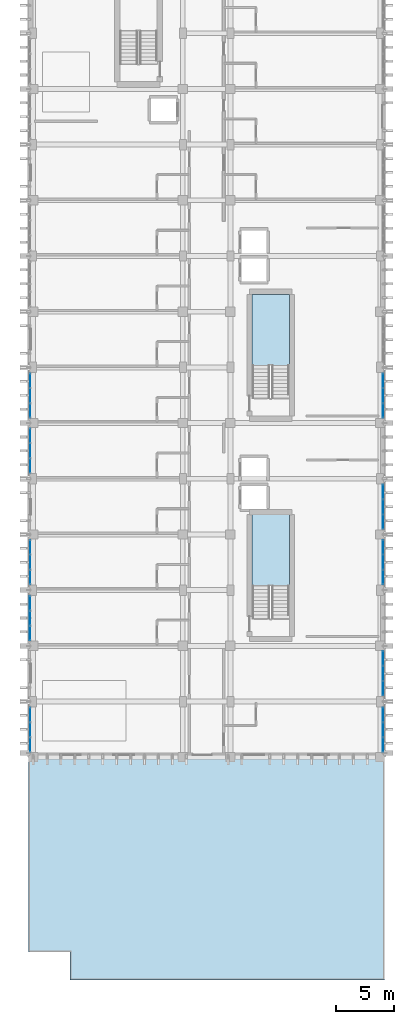
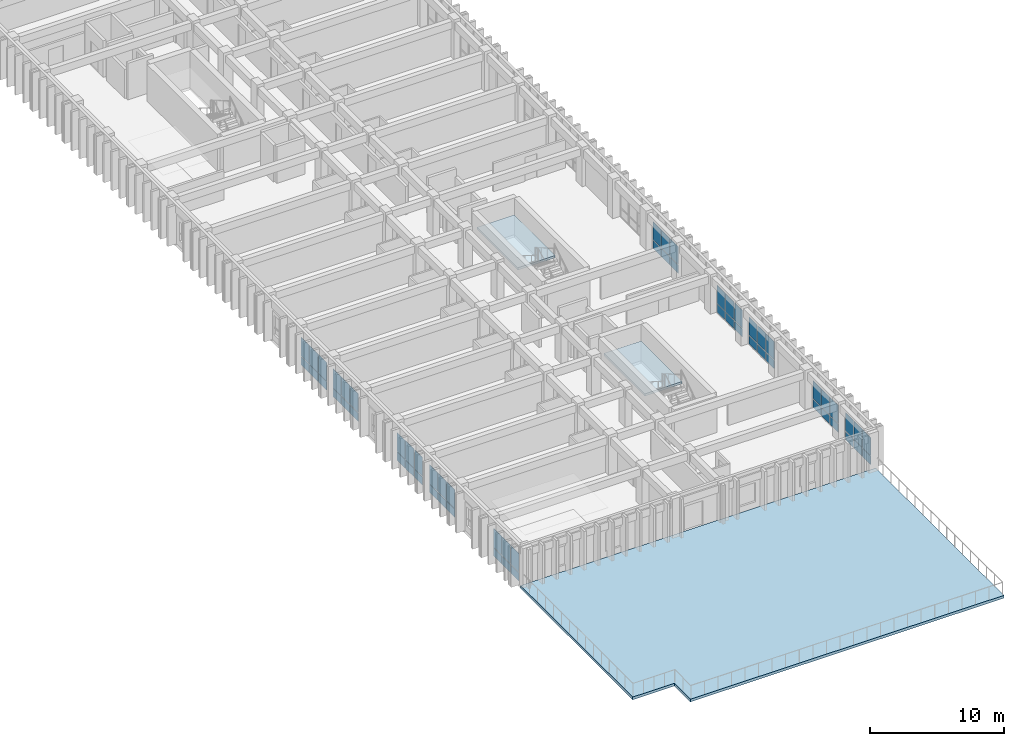
# One storey, part 58 of 82: 60 plates, 3 slabs, 12 elements without a shape of their own.
"""IFC4 building model written with IfcOpenShell, lengths in metres."""

from ifc_helpers import new_model, si_unit, direction, frame, origin, origin_2d, place, context, subcontext, project, spatial, polyline, rectangle, outline, extrude, material, layer, layer_set, type_object, element, aggregate, save


model = new_model("IFC4")

# Units and contexts
model_context = context("Model", 3, precision=1e-05, world=origin(), true_north=direction((0.0, 1.0)))
body_context = subcontext(model_context, "Body", "Model", "MODEL_VIEW")
ifc_project = project(units=[si_unit("LENGTHUNIT", "METRE"), si_unit("AREAUNIT", "SQUARE_METRE"), si_unit("VOLUMEUNIT", "CUBIC_METRE"), si_unit("PLANEANGLEUNIT", "RADIAN"), si_unit("MASSUNIT", "GRAM", prefix="KILO")], contexts=[model_context])

# Site, building, storey
site_placement = place(None, origin())
site = spatial("IfcSite", under=ifc_project, at=site_placement, CompositionType="ELEMENT")
building_placement = place(site_placement, origin())
building = spatial("IfcBuilding", under=site, at=building_placement, Name="Nakhvara Creek Congress Hotel", CompositionType="ELEMENT")
storey_placement = place(building_placement, frame((0.0, 0.0, 21.0)))
storey = spatial("IfcBuildingStorey", under=building, at=storey_placement, Name="L04", CompositionType="ELEMENT", Elevation=21.0)

# Curtain wall, plates
ifc_material_1 = material(Name="Bronze-anodised aluminium AW-6063-T6 and double-silver low-E glass", Category="aluminium")
ifc_layer_1 = layer(ifc_material_1, 0.199951171875)
ifc_layer_set_1 = layer_set([ifc_layer_1], Name="Bronze-anodised aluminium AW-6063-T6 and double-silver low-E glass")
curtain_wall_type = type_object("IfcCurtainWallType", Name="CW-HTL-UNIT", PredefinedType="USERDEFINED", material=ifc_layer_set_1)
curtain_wall_1_placement = place(storey_placement, origin())
curtain_wall_1 = element("IfcCurtainWall", 1, at=curtain_wall_1_placement, inside=storey, type_object=curtain_wall_type, Name="Curtain Wall CW172", ObjectType="UNITISED", PredefinedType="USERDEFINED")
ifc_material_2 = material(Name="Double-silver solar-control low-E insulated glass", Category="glass")
plate_type_1 = type_object("IfcPlateType", Name="PNL-GLZ-120X250", PredefinedType="CURTAIN_PANEL", material=ifc_material_2)
plate_1_placement = place(storey_placement, frame((179.60009765625, 22.865478515625, 0.06494140625), z_axis=(0.0, 0.0, 1.0), x_axis=(0.0, -1.0, 0.0)))
plate_1 = element("IfcPlate", 2, at=plate_1_placement, type_object=plate_type_1, Name="CW172 panel 1.1", PredefinedType="CURTAIN_PANEL", context=body_context, shape_type="SweptSolid", body=[
    extrude(rectangle(XDim=1.209228515625, YDim=0.028076171875, at=origin_2d()), origin(), (0.0, 0.0, 1.0), 0.75244140625),
])
plate_2_placement = place(storey_placement, frame((179.60009765625, 22.865478515625, 0.88232421875), z_axis=(0.0, 0.0, 1.0), x_axis=(0.0, -1.0, 0.0)))
plate_2 = element("IfcPlate", 3, at=plate_2_placement, type_object=plate_type_1, Name="CW172 panel 1.2", PredefinedType="CURTAIN_PANEL", context=body_context, shape_type="SweptSolid", body=[
    extrude(rectangle(XDim=1.209228515625, YDim=0.028076171875, at=origin_2d()), origin(), (0.0, 0.0, 1.0), 1.634521484375),
])
plate_3_placement = place(storey_placement, frame((179.60009765625, 21.574951171875, 0.06494140625), z_axis=(0.0, 0.0, 1.0), x_axis=(0.0, -1.0, 0.0)))
plate_3 = element("IfcPlate", 4, at=plate_3_placement, type_object=plate_type_1, Name="CW172 panel 2.1", PredefinedType="CURTAIN_PANEL", context=body_context, shape_type="SweptSolid", body=[
    extrude(rectangle(XDim=1.24169921875, YDim=0.028076171875, at=origin_2d()), origin(), (0.0, 0.0, 1.0), 0.75244140625),
])
plate_4_placement = place(storey_placement, frame((179.60009765625, 21.574951171875, 0.88232421875), z_axis=(0.0, 0.0, 1.0), x_axis=(0.0, -1.0, 0.0)))
plate_4 = element("IfcPlate", 5, at=plate_4_placement, type_object=plate_type_1, Name="CW172 panel 2.2", PredefinedType="CURTAIN_PANEL", context=body_context, shape_type="SweptSolid", body=[
    extrude(rectangle(XDim=1.24169921875, YDim=0.028076171875, at=origin_2d()), origin(), (0.0, 0.0, 1.0), 1.634521484375),
])
plate_5_placement = place(storey_placement, frame((179.60009765625, 20.28466796875, 0.06494140625), z_axis=(0.0, 0.0, 1.0), x_axis=(0.0, -1.0, 0.0)))
plate_5 = element("IfcPlate", 6, at=plate_5_placement, type_object=plate_type_1, Name="CW172 panel 3.1", PredefinedType="CURTAIN_PANEL", context=body_context, shape_type="SweptSolid", body=[
    extrude(rectangle(XDim=1.209228515625, YDim=0.028076171875, at=origin_2d()), origin(), (0.0, 0.0, 1.0), 0.75244140625),
])
plate_6_placement = place(storey_placement, frame((179.60009765625, 20.28466796875, 0.88232421875), z_axis=(0.0, 0.0, 1.0), x_axis=(0.0, -1.0, 0.0)))
plate_6 = element("IfcPlate", 7, at=plate_6_placement, type_object=plate_type_1, Name="CW172 panel 3.2", PredefinedType="CURTAIN_PANEL", context=body_context, shape_type="SweptSolid", body=[
    extrude(rectangle(XDim=1.209228515625, YDim=0.028076171875, at=origin_2d()), origin(), (0.0, 0.0, 1.0), 1.634521484375),
])
aggregate(curtain_wall_1, [plate_1, plate_2, plate_3, plate_4, plate_5, plate_6])

curtain_wall_2_placement = place(storey_placement, origin())
curtain_wall_2 = element("IfcCurtainWall", 8, at=curtain_wall_2_placement, inside=storey, type_object=curtain_wall_type, Name="Curtain Wall CW173", ObjectType="UNITISED", PredefinedType="USERDEFINED")
plate_7_placement = place(storey_placement, frame((149.199951171875, 20.28466796875, 0.06494140625), z_axis=(0.0, 0.0, 1.0), x_axis=(0.0, 1.0, 0.0)))
plate_7 = element("IfcPlate", 9, at=plate_7_placement, type_object=plate_type_1, Name="CW173 panel 1.1", PredefinedType="CURTAIN_PANEL", context=body_context, shape_type="SweptSolid", body=[
    extrude(rectangle(XDim=1.209228515625, YDim=0.028076171875, at=origin_2d()), origin(), (0.0, 0.0, 1.0), 0.75244140625),
])
plate_8_placement = place(storey_placement, frame((149.199951171875, 20.28466796875, 0.882568359375), z_axis=(0.0, 0.0, 1.0), x_axis=(0.0, 1.0, 0.0)))
plate_8 = element("IfcPlate", 10, at=plate_8_placement, type_object=plate_type_1, Name="CW173 panel 1.2", PredefinedType="CURTAIN_PANEL", context=body_context, shape_type="SweptSolid", body=[
    extrude(rectangle(XDim=1.209228515625, YDim=0.028076171875, at=origin_2d()), origin(), (0.0, 0.0, 1.0), 1.70458984375),
])
plate_9_placement = place(storey_placement, frame((149.199951171875, 21.574951171875, 0.06494140625), z_axis=(0.0, 0.0, 1.0), x_axis=(0.0, 1.0, 0.0)))
plate_9 = element("IfcPlate", 11, at=plate_9_placement, type_object=plate_type_1, Name="CW173 panel 2.1", PredefinedType="CURTAIN_PANEL", context=body_context, shape_type="SweptSolid", body=[
    extrude(rectangle(XDim=1.24169921875, YDim=0.028076171875, at=origin_2d()), origin(), (0.0, 0.0, 1.0), 0.75244140625),
])
plate_10_placement = place(storey_placement, frame((149.199951171875, 21.574951171875, 0.882568359375), z_axis=(0.0, 0.0, 1.0), x_axis=(0.0, 1.0, 0.0)))
plate_10 = element("IfcPlate", 12, at=plate_10_placement, type_object=plate_type_1, Name="CW173 panel 2.2", PredefinedType="CURTAIN_PANEL", context=body_context, shape_type="SweptSolid", body=[
    extrude(rectangle(XDim=1.24169921875, YDim=0.028076171875, at=origin_2d()), origin(), (0.0, 0.0, 1.0), 1.70458984375),
])
plate_11_placement = place(storey_placement, frame((149.199951171875, 22.865478515625, 0.06494140625), z_axis=(0.0, 0.0, 1.0), x_axis=(0.0, 1.0, 0.0)))
plate_11 = element("IfcPlate", 13, at=plate_11_placement, type_object=plate_type_1, Name="CW173 panel 3.1", PredefinedType="CURTAIN_PANEL", context=body_context, shape_type="SweptSolid", body=[
    extrude(rectangle(XDim=1.209228515625, YDim=0.028076171875, at=origin_2d()), origin(), (0.0, 0.0, 1.0), 0.75244140625),
])
plate_12_placement = place(storey_placement, frame((149.199951171875, 22.865478515625, 0.882568359375), z_axis=(0.0, 0.0, 1.0), x_axis=(0.0, 1.0, 0.0)))
plate_12 = element("IfcPlate", 14, at=plate_12_placement, type_object=plate_type_1, Name="CW173 panel 3.2", PredefinedType="CURTAIN_PANEL", context=body_context, shape_type="SweptSolid", body=[
    extrude(rectangle(XDim=1.209228515625, YDim=0.028076171875, at=origin_2d()), origin(), (0.0, 0.0, 1.0), 1.70458984375),
])
aggregate(curtain_wall_2, [plate_7, plate_8, plate_9, plate_10, plate_11, plate_12])

curtain_wall_3_placement = place(storey_placement, origin())
curtain_wall_3 = element("IfcCurtainWall", 15, at=curtain_wall_3_placement, inside=storey, type_object=curtain_wall_type, Name="Curtain Wall CW174", ObjectType="UNITISED", PredefinedType="USERDEFINED")
plate_13_placement = place(storey_placement, frame((179.60009765625, 27.71533203125, 0.06494140625), z_axis=(0.0, 0.0, 1.0), x_axis=(0.0, -1.0, 0.0)))
plate_13 = element("IfcPlate", 16, at=plate_13_placement, type_object=plate_type_1, Name="CW174 panel 1.1", PredefinedType="CURTAIN_PANEL", context=body_context, shape_type="SweptSolid", body=[
    extrude(rectangle(XDim=1.209228515625, YDim=0.028076171875, at=origin_2d()), origin(), (0.0, 0.0, 1.0), 0.75244140625),
])
plate_14_placement = place(storey_placement, frame((179.60009765625, 27.71533203125, 0.88232421875), z_axis=(0.0, 0.0, 1.0), x_axis=(0.0, -1.0, 0.0)))
plate_14 = element("IfcPlate", 17, at=plate_14_placement, type_object=plate_type_1, Name="CW174 panel 1.2", PredefinedType="CURTAIN_PANEL", context=body_context, shape_type="SweptSolid", body=[
    extrude(rectangle(XDim=1.209228515625, YDim=0.028076171875, at=origin_2d()), origin(), (0.0, 0.0, 1.0), 1.634521484375),
])
plate_15_placement = place(storey_placement, frame((179.60009765625, 26.425048828125, 0.06494140625), z_axis=(0.0, 0.0, 1.0), x_axis=(0.0, -1.0, 0.0)))
plate_15 = element("IfcPlate", 18, at=plate_15_placement, type_object=plate_type_1, Name="CW174 panel 2.1", PredefinedType="CURTAIN_PANEL", context=body_context, shape_type="SweptSolid", body=[
    extrude(rectangle(XDim=1.24169921875, YDim=0.028076171875, at=origin_2d()), origin(), (0.0, 0.0, 1.0), 0.75244140625),
])
plate_16_placement = place(storey_placement, frame((179.60009765625, 26.425048828125, 0.88232421875), z_axis=(0.0, 0.0, 1.0), x_axis=(0.0, -1.0, 0.0)))
plate_16 = element("IfcPlate", 19, at=plate_16_placement, type_object=plate_type_1, Name="CW174 panel 2.2", PredefinedType="CURTAIN_PANEL", context=body_context, shape_type="SweptSolid", body=[
    extrude(rectangle(XDim=1.24169921875, YDim=0.028076171875, at=origin_2d()), origin(), (0.0, 0.0, 1.0), 1.634521484375),
])
plate_17_placement = place(storey_placement, frame((179.60009765625, 25.134521484375, 0.06494140625), z_axis=(0.0, 0.0, 1.0), x_axis=(0.0, -1.0, 0.0)))
plate_17 = element("IfcPlate", 20, at=plate_17_placement, type_object=plate_type_1, Name="CW174 panel 3.1", PredefinedType="CURTAIN_PANEL", context=body_context, shape_type="SweptSolid", body=[
    extrude(rectangle(XDim=1.209228515625, YDim=0.028076171875, at=origin_2d()), origin(), (0.0, 0.0, 1.0), 0.75244140625),
])
plate_18_placement = place(storey_placement, frame((179.60009765625, 25.134521484375, 0.88232421875), z_axis=(0.0, 0.0, 1.0), x_axis=(0.0, -1.0, 0.0)))
plate_18 = element("IfcPlate", 21, at=plate_18_placement, type_object=plate_type_1, Name="CW174 panel 3.2", PredefinedType="CURTAIN_PANEL", context=body_context, shape_type="SweptSolid", body=[
    extrude(rectangle(XDim=1.209228515625, YDim=0.028076171875, at=origin_2d()), origin(), (0.0, 0.0, 1.0), 1.634521484375),
])
aggregate(curtain_wall_3, [plate_13, plate_14, plate_15, plate_16, plate_17, plate_18])

curtain_wall_4_placement = place(storey_placement, origin())
curtain_wall_4 = element("IfcCurtainWall", 22, at=curtain_wall_4_placement, inside=storey, type_object=curtain_wall_type, Name="Curtain Wall CW176", ObjectType="UNITISED", PredefinedType="USERDEFINED")
plate_19_placement = place(storey_placement, frame((179.60009765625, 37.3154296875, 0.06494140625), z_axis=(0.0, 0.0, 1.0), x_axis=(0.0, -1.0, 0.0)))
plate_19 = element("IfcPlate", 23, at=plate_19_placement, type_object=plate_type_1, Name="CW176 panel 1.1", PredefinedType="CURTAIN_PANEL", context=body_context, shape_type="SweptSolid", body=[
    extrude(rectangle(XDim=1.209228515625, YDim=0.028076171875, at=origin_2d()), origin(), (0.0, 0.0, 1.0), 0.75244140625),
])
plate_20_placement = place(storey_placement, frame((179.60009765625, 37.3154296875, 0.88232421875), z_axis=(0.0, 0.0, 1.0), x_axis=(0.0, -1.0, 0.0)))
plate_20 = element("IfcPlate", 24, at=plate_20_placement, type_object=plate_type_1, Name="CW176 panel 1.2", PredefinedType="CURTAIN_PANEL", context=body_context, shape_type="SweptSolid", body=[
    extrude(rectangle(XDim=1.209228515625, YDim=0.028076171875, at=origin_2d()), origin(), (0.0, 0.0, 1.0), 1.634521484375),
])
plate_21_placement = place(storey_placement, frame((179.60009765625, 36.02490234375, 0.06494140625), z_axis=(0.0, 0.0, 1.0), x_axis=(0.0, -1.0, 0.0)))
plate_21 = element("IfcPlate", 25, at=plate_21_placement, type_object=plate_type_1, Name="CW176 panel 2.1", PredefinedType="CURTAIN_PANEL", context=body_context, shape_type="SweptSolid", body=[
    extrude(rectangle(XDim=1.24169921875, YDim=0.028076171875, at=origin_2d()), origin(), (0.0, 0.0, 1.0), 0.75244140625),
])
plate_22_placement = place(storey_placement, frame((179.60009765625, 36.02490234375, 0.88232421875), z_axis=(0.0, 0.0, 1.0), x_axis=(0.0, -1.0, 0.0)))
plate_22 = element("IfcPlate", 26, at=plate_22_placement, type_object=plate_type_1, Name="CW176 panel 2.2", PredefinedType="CURTAIN_PANEL", context=body_context, shape_type="SweptSolid", body=[
    extrude(rectangle(XDim=1.24169921875, YDim=0.028076171875, at=origin_2d()), origin(), (0.0, 0.0, 1.0), 1.634521484375),
])
plate_23_placement = place(storey_placement, frame((179.60009765625, 34.734619140625, 0.06494140625), z_axis=(0.0, 0.0, 1.0), x_axis=(0.0, -1.0, 0.0)))
plate_23 = element("IfcPlate", 27, at=plate_23_placement, type_object=plate_type_1, Name="CW176 panel 3.1", PredefinedType="CURTAIN_PANEL", context=body_context, shape_type="SweptSolid", body=[
    extrude(rectangle(XDim=1.209228515625, YDim=0.028076171875, at=origin_2d()), origin(), (0.0, 0.0, 1.0), 0.75244140625),
])
plate_24_placement = place(storey_placement, frame((179.60009765625, 34.734619140625, 0.88232421875), z_axis=(0.0, 0.0, 1.0), x_axis=(0.0, -1.0, 0.0)))
plate_24 = element("IfcPlate", 28, at=plate_24_placement, type_object=plate_type_1, Name="CW176 panel 3.2", PredefinedType="CURTAIN_PANEL", context=body_context, shape_type="SweptSolid", body=[
    extrude(rectangle(XDim=1.209228515625, YDim=0.028076171875, at=origin_2d()), origin(), (0.0, 0.0, 1.0), 1.634521484375),
])
aggregate(curtain_wall_4, [plate_19, plate_20, plate_21, plate_22, plate_23, plate_24])

curtain_wall_5_placement = place(storey_placement, origin())
curtain_wall_5 = element("IfcCurtainWall", 29, at=curtain_wall_5_placement, inside=storey, type_object=curtain_wall_type, Name="Curtain Wall CW177", ObjectType="UNITISED", PredefinedType="USERDEFINED")
plate_25_placement = place(storey_placement, frame((149.199951171875, 34.734619140625, 0.06494140625), z_axis=(0.0, 0.0, 1.0), x_axis=(0.0, 1.0, 0.0)))
plate_25 = element("IfcPlate", 30, at=plate_25_placement, type_object=plate_type_1, Name="CW177 panel 1.1", PredefinedType="CURTAIN_PANEL", context=body_context, shape_type="SweptSolid", body=[
    extrude(rectangle(XDim=1.209228515625, YDim=0.028076171875, at=origin_2d()), origin(), (0.0, 0.0, 1.0), 0.75244140625),
])
plate_26_placement = place(storey_placement, frame((149.199951171875, 34.734619140625, 0.882568359375), z_axis=(0.0, 0.0, 1.0), x_axis=(0.0, 1.0, 0.0)))
plate_26 = element("IfcPlate", 31, at=plate_26_placement, type_object=plate_type_1, Name="CW177 panel 1.2", PredefinedType="CURTAIN_PANEL", context=body_context, shape_type="SweptSolid", body=[
    extrude(rectangle(XDim=1.209228515625, YDim=0.028076171875, at=origin_2d()), origin(), (0.0, 0.0, 1.0), 1.70458984375),
])
plate_27_placement = place(storey_placement, frame((149.199951171875, 36.02490234375, 0.06494140625), z_axis=(0.0, 0.0, 1.0), x_axis=(0.0, 1.0, 0.0)))
plate_27 = element("IfcPlate", 32, at=plate_27_placement, type_object=plate_type_1, Name="CW177 panel 2.1", PredefinedType="CURTAIN_PANEL", context=body_context, shape_type="SweptSolid", body=[
    extrude(rectangle(XDim=1.24169921875, YDim=0.028076171875, at=origin_2d()), origin(), (0.0, 0.0, 1.0), 0.75244140625),
])
plate_28_placement = place(storey_placement, frame((149.199951171875, 36.02490234375, 0.882568359375), z_axis=(0.0, 0.0, 1.0), x_axis=(0.0, 1.0, 0.0)))
plate_28 = element("IfcPlate", 33, at=plate_28_placement, type_object=plate_type_1, Name="CW177 panel 2.2", PredefinedType="CURTAIN_PANEL", context=body_context, shape_type="SweptSolid", body=[
    extrude(rectangle(XDim=1.24169921875, YDim=0.028076171875, at=origin_2d()), origin(), (0.0, 0.0, 1.0), 1.70458984375),
])
plate_29_placement = place(storey_placement, frame((149.199951171875, 37.3154296875, 0.06494140625), z_axis=(0.0, 0.0, 1.0), x_axis=(0.0, 1.0, 0.0)))
plate_29 = element("IfcPlate", 34, at=plate_29_placement, type_object=plate_type_1, Name="CW177 panel 3.1", PredefinedType="CURTAIN_PANEL", context=body_context, shape_type="SweptSolid", body=[
    extrude(rectangle(XDim=1.209228515625, YDim=0.028076171875, at=origin_2d()), origin(), (0.0, 0.0, 1.0), 0.75244140625),
])
plate_30_placement = place(storey_placement, frame((149.199951171875, 37.3154296875, 0.882568359375), z_axis=(0.0, 0.0, 1.0), x_axis=(0.0, 1.0, 0.0)))
plate_30 = element("IfcPlate", 35, at=plate_30_placement, type_object=plate_type_1, Name="CW177 panel 3.2", PredefinedType="CURTAIN_PANEL", context=body_context, shape_type="SweptSolid", body=[
    extrude(rectangle(XDim=1.209228515625, YDim=0.028076171875, at=origin_2d()), origin(), (0.0, 0.0, 1.0), 1.70458984375),
])
aggregate(curtain_wall_5, [plate_25, plate_26, plate_27, plate_28, plate_29, plate_30])

curtain_wall_6_placement = place(storey_placement, origin())
curtain_wall_6 = element("IfcCurtainWall", 36, at=curtain_wall_6_placement, inside=storey, type_object=curtain_wall_type, Name="Curtain Wall CW178", ObjectType="UNITISED", PredefinedType="USERDEFINED")
plate_31_placement = place(storey_placement, frame((179.60009765625, 42.0654296875, 0.06494140625), z_axis=(0.0, 0.0, 1.0), x_axis=(0.0, -1.0, 0.0)))
plate_31 = element("IfcPlate", 37, at=plate_31_placement, type_object=plate_type_1, Name="CW178 panel 1.1", PredefinedType="CURTAIN_PANEL", context=body_context, shape_type="SweptSolid", body=[
    extrude(rectangle(XDim=1.209228515625, YDim=0.028076171875, at=origin_2d()), origin(), (0.0, 0.0, 1.0), 0.75244140625),
])
plate_32_placement = place(storey_placement, frame((179.60009765625, 42.0654296875, 0.88232421875), z_axis=(0.0, 0.0, 1.0), x_axis=(0.0, -1.0, 0.0)))
plate_32 = element("IfcPlate", 38, at=plate_32_placement, type_object=plate_type_1, Name="CW178 panel 1.2", PredefinedType="CURTAIN_PANEL", context=body_context, shape_type="SweptSolid", body=[
    extrude(rectangle(XDim=1.209228515625, YDim=0.028076171875, at=origin_2d()), origin(), (0.0, 0.0, 1.0), 1.634521484375),
])
plate_33_placement = place(storey_placement, frame((179.60009765625, 40.77490234375, 0.06494140625), z_axis=(0.0, 0.0, 1.0), x_axis=(0.0, -1.0, 0.0)))
plate_33 = element("IfcPlate", 39, at=plate_33_placement, type_object=plate_type_1, Name="CW178 panel 2.1", PredefinedType="CURTAIN_PANEL", context=body_context, shape_type="SweptSolid", body=[
    extrude(rectangle(XDim=1.24169921875, YDim=0.028076171875, at=origin_2d()), origin(), (0.0, 0.0, 1.0), 0.75244140625),
])
plate_34_placement = place(storey_placement, frame((179.60009765625, 40.77490234375, 0.88232421875), z_axis=(0.0, 0.0, 1.0), x_axis=(0.0, -1.0, 0.0)))
plate_34 = element("IfcPlate", 40, at=plate_34_placement, type_object=plate_type_1, Name="CW178 panel 2.2", PredefinedType="CURTAIN_PANEL", context=body_context, shape_type="SweptSolid", body=[
    extrude(rectangle(XDim=1.24169921875, YDim=0.028076171875, at=origin_2d()), origin(), (0.0, 0.0, 1.0), 1.634521484375),
])
plate_35_placement = place(storey_placement, frame((179.60009765625, 39.484619140625, 0.06494140625), z_axis=(0.0, 0.0, 1.0), x_axis=(0.0, -1.0, 0.0)))
plate_35 = element("IfcPlate", 41, at=plate_35_placement, type_object=plate_type_1, Name="CW178 panel 3.1", PredefinedType="CURTAIN_PANEL", context=body_context, shape_type="SweptSolid", body=[
    extrude(rectangle(XDim=1.209228515625, YDim=0.028076171875, at=origin_2d()), origin(), (0.0, 0.0, 1.0), 0.75244140625),
])
plate_36_placement = place(storey_placement, frame((179.60009765625, 39.484619140625, 0.88232421875), z_axis=(0.0, 0.0, 1.0), x_axis=(0.0, -1.0, 0.0)))
plate_36 = element("IfcPlate", 42, at=plate_36_placement, type_object=plate_type_1, Name="CW178 panel 3.2", PredefinedType="CURTAIN_PANEL", context=body_context, shape_type="SweptSolid", body=[
    extrude(rectangle(XDim=1.209228515625, YDim=0.028076171875, at=origin_2d()), origin(), (0.0, 0.0, 1.0), 1.634521484375),
])
aggregate(curtain_wall_6, [plate_31, plate_32, plate_33, plate_34, plate_35, plate_36])

curtain_wall_7_placement = place(storey_placement, origin())
curtain_wall_7 = element("IfcCurtainWall", 43, at=curtain_wall_7_placement, inside=storey, type_object=curtain_wall_type, Name="Curtain Wall CW179", ObjectType="UNITISED", PredefinedType="USERDEFINED")
plate_37_placement = place(storey_placement, frame((149.199951171875, 44.33447265625, 0.06494140625), z_axis=(0.0, 0.0, 1.0), x_axis=(0.0, 1.0, 0.0)))
plate_37 = element("IfcPlate", 44, at=plate_37_placement, type_object=plate_type_1, Name="CW179 panel 1.1", PredefinedType="CURTAIN_PANEL", context=body_context, shape_type="SweptSolid", body=[
    extrude(rectangle(XDim=1.209228515625, YDim=0.028076171875, at=origin_2d()), origin(), (0.0, 0.0, 1.0), 0.75244140625),
])
plate_38_placement = place(storey_placement, frame((149.199951171875, 44.33447265625, 0.882568359375), z_axis=(0.0, 0.0, 1.0), x_axis=(0.0, 1.0, 0.0)))
plate_38 = element("IfcPlate", 45, at=plate_38_placement, type_object=plate_type_1, Name="CW179 panel 1.2", PredefinedType="CURTAIN_PANEL", context=body_context, shape_type="SweptSolid", body=[
    extrude(rectangle(XDim=1.209228515625, YDim=0.028076171875, at=origin_2d()), origin(), (0.0, 0.0, 1.0), 1.70458984375),
])
plate_39_placement = place(storey_placement, frame((149.199951171875, 45.625, 0.06494140625), z_axis=(0.0, 0.0, 1.0), x_axis=(0.0, 1.0, 0.0)))
plate_39 = element("IfcPlate", 46, at=plate_39_placement, type_object=plate_type_1, Name="CW179 panel 2.1", PredefinedType="CURTAIN_PANEL", context=body_context, shape_type="SweptSolid", body=[
    extrude(rectangle(XDim=1.24169921875, YDim=0.028076171875, at=origin_2d()), origin(), (0.0, 0.0, 1.0), 0.75244140625),
])
plate_40_placement = place(storey_placement, frame((149.199951171875, 45.625, 0.882568359375), z_axis=(0.0, 0.0, 1.0), x_axis=(0.0, 1.0, 0.0)))
plate_40 = element("IfcPlate", 47, at=plate_40_placement, type_object=plate_type_1, Name="CW179 panel 2.2", PredefinedType="CURTAIN_PANEL", context=body_context, shape_type="SweptSolid", body=[
    extrude(rectangle(XDim=1.24169921875, YDim=0.028076171875, at=origin_2d()), origin(), (0.0, 0.0, 1.0), 1.70458984375),
])
plate_41_placement = place(storey_placement, frame((149.199951171875, 46.91552734375, 0.06494140625), z_axis=(0.0, 0.0, 1.0), x_axis=(0.0, 1.0, 0.0)))
plate_41 = element("IfcPlate", 48, at=plate_41_placement, type_object=plate_type_1, Name="CW179 panel 3.1", PredefinedType="CURTAIN_PANEL", context=body_context, shape_type="SweptSolid", body=[
    extrude(rectangle(XDim=1.209228515625, YDim=0.028076171875, at=origin_2d()), origin(), (0.0, 0.0, 1.0), 0.75244140625),
])
plate_42_placement = place(storey_placement, frame((149.199951171875, 46.91552734375, 0.882568359375), z_axis=(0.0, 0.0, 1.0), x_axis=(0.0, 1.0, 0.0)))
plate_42 = element("IfcPlate", 49, at=plate_42_placement, type_object=plate_type_1, Name="CW179 panel 3.2", PredefinedType="CURTAIN_PANEL", context=body_context, shape_type="SweptSolid", body=[
    extrude(rectangle(XDim=1.209228515625, YDim=0.028076171875, at=origin_2d()), origin(), (0.0, 0.0, 1.0), 1.70458984375),
])
aggregate(curtain_wall_7, [plate_37, plate_38, plate_39, plate_40, plate_41, plate_42])

curtain_wall_8_placement = place(storey_placement, origin())
curtain_wall_8 = element("IfcCurtainWall", 50, at=curtain_wall_8_placement, inside=storey, type_object=curtain_wall_type, Name="Curtain Wall CW180", ObjectType="UNITISED", PredefinedType="USERDEFINED")
plate_43_placement = place(storey_placement, frame((179.60009765625, 51.66552734375, 0.06494140625), z_axis=(0.0, 0.0, 1.0), x_axis=(0.0, -1.0, 0.0)))
plate_43 = element("IfcPlate", 51, at=plate_43_placement, type_object=plate_type_1, Name="CW180 panel 1.1", PredefinedType="CURTAIN_PANEL", context=body_context, shape_type="SweptSolid", body=[
    extrude(rectangle(XDim=1.209228515625, YDim=0.028076171875, at=origin_2d()), origin(), (0.0, 0.0, 1.0), 0.75244140625),
])
plate_44_placement = place(storey_placement, frame((179.60009765625, 51.66552734375, 0.88232421875), z_axis=(0.0, 0.0, 1.0), x_axis=(0.0, -1.0, 0.0)))
plate_44 = element("IfcPlate", 52, at=plate_44_placement, type_object=plate_type_1, Name="CW180 panel 1.2", PredefinedType="CURTAIN_PANEL", context=body_context, shape_type="SweptSolid", body=[
    extrude(rectangle(XDim=1.209228515625, YDim=0.028076171875, at=origin_2d()), origin(), (0.0, 0.0, 1.0), 1.634521484375),
])
plate_45_placement = place(storey_placement, frame((179.60009765625, 50.375, 0.06494140625), z_axis=(0.0, 0.0, 1.0), x_axis=(0.0, -1.0, 0.0)))
plate_45 = element("IfcPlate", 53, at=plate_45_placement, type_object=plate_type_1, Name="CW180 panel 2.1", PredefinedType="CURTAIN_PANEL", context=body_context, shape_type="SweptSolid", body=[
    extrude(rectangle(XDim=1.24169921875, YDim=0.028076171875, at=origin_2d()), origin(), (0.0, 0.0, 1.0), 0.75244140625),
])
plate_46_placement = place(storey_placement, frame((179.60009765625, 50.375, 0.88232421875), z_axis=(0.0, 0.0, 1.0), x_axis=(0.0, -1.0, 0.0)))
plate_46 = element("IfcPlate", 54, at=plate_46_placement, type_object=plate_type_1, Name="CW180 panel 2.2", PredefinedType="CURTAIN_PANEL", context=body_context, shape_type="SweptSolid", body=[
    extrude(rectangle(XDim=1.24169921875, YDim=0.028076171875, at=origin_2d()), origin(), (0.0, 0.0, 1.0), 1.634521484375),
])
plate_47_placement = place(storey_placement, frame((179.60009765625, 49.08447265625, 0.06494140625), z_axis=(0.0, 0.0, 1.0), x_axis=(0.0, -1.0, 0.0)))
plate_47 = element("IfcPlate", 55, at=plate_47_placement, type_object=plate_type_1, Name="CW180 panel 3.1", PredefinedType="CURTAIN_PANEL", context=body_context, shape_type="SweptSolid", body=[
    extrude(rectangle(XDim=1.209228515625, YDim=0.028076171875, at=origin_2d()), origin(), (0.0, 0.0, 1.0), 0.75244140625),
])
plate_48_placement = place(storey_placement, frame((179.60009765625, 49.08447265625, 0.88232421875), z_axis=(0.0, 0.0, 1.0), x_axis=(0.0, -1.0, 0.0)))
plate_48 = element("IfcPlate", 56, at=plate_48_placement, type_object=plate_type_1, Name="CW180 panel 3.2", PredefinedType="CURTAIN_PANEL", context=body_context, shape_type="SweptSolid", body=[
    extrude(rectangle(XDim=1.209228515625, YDim=0.028076171875, at=origin_2d()), origin(), (0.0, 0.0, 1.0), 1.634521484375),
])
aggregate(curtain_wall_8, [plate_43, plate_44, plate_45, plate_46, plate_47, plate_48])

curtain_wall_9_placement = place(storey_placement, origin())
curtain_wall_9 = element("IfcCurtainWall", 57, at=curtain_wall_9_placement, inside=storey, type_object=curtain_wall_type, Name="Curtain Wall CW181", ObjectType="UNITISED", PredefinedType="USERDEFINED")
plate_49_placement = place(storey_placement, frame((149.199951171875, 49.08447265625, 0.06494140625), z_axis=(0.0, 0.0, 1.0), x_axis=(0.0, 1.0, 0.0)))
plate_49 = element("IfcPlate", 58, at=plate_49_placement, type_object=plate_type_1, Name="CW181 panel 1.1", PredefinedType="CURTAIN_PANEL", context=body_context, shape_type="SweptSolid", body=[
    extrude(rectangle(XDim=1.209228515625, YDim=0.028076171875, at=origin_2d()), origin(), (0.0, 0.0, 1.0), 0.75244140625),
])
plate_50_placement = place(storey_placement, frame((149.199951171875, 49.08447265625, 0.882568359375), z_axis=(0.0, 0.0, 1.0), x_axis=(0.0, 1.0, 0.0)))
plate_50 = element("IfcPlate", 59, at=plate_50_placement, type_object=plate_type_1, Name="CW181 panel 1.2", PredefinedType="CURTAIN_PANEL", context=body_context, shape_type="SweptSolid", body=[
    extrude(rectangle(XDim=1.209228515625, YDim=0.028076171875, at=origin_2d()), origin(), (0.0, 0.0, 1.0), 1.70458984375),
])
plate_51_placement = place(storey_placement, frame((149.199951171875, 50.375, 0.06494140625), z_axis=(0.0, 0.0, 1.0), x_axis=(0.0, 1.0, 0.0)))
plate_51 = element("IfcPlate", 60, at=plate_51_placement, type_object=plate_type_1, Name="CW181 panel 2.1", PredefinedType="CURTAIN_PANEL", context=body_context, shape_type="SweptSolid", body=[
    extrude(rectangle(XDim=1.24169921875, YDim=0.028076171875, at=origin_2d()), origin(), (0.0, 0.0, 1.0), 0.75244140625),
])
plate_52_placement = place(storey_placement, frame((149.199951171875, 50.375, 0.882568359375), z_axis=(0.0, 0.0, 1.0), x_axis=(0.0, 1.0, 0.0)))
plate_52 = element("IfcPlate", 61, at=plate_52_placement, type_object=plate_type_1, Name="CW181 panel 2.2", PredefinedType="CURTAIN_PANEL", context=body_context, shape_type="SweptSolid", body=[
    extrude(rectangle(XDim=1.24169921875, YDim=0.028076171875, at=origin_2d()), origin(), (0.0, 0.0, 1.0), 1.70458984375),
])
plate_53_placement = place(storey_placement, frame((149.199951171875, 51.66552734375, 0.06494140625), z_axis=(0.0, 0.0, 1.0), x_axis=(0.0, 1.0, 0.0)))
plate_53 = element("IfcPlate", 62, at=plate_53_placement, type_object=plate_type_1, Name="CW181 panel 3.1", PredefinedType="CURTAIN_PANEL", context=body_context, shape_type="SweptSolid", body=[
    extrude(rectangle(XDim=1.209228515625, YDim=0.028076171875, at=origin_2d()), origin(), (0.0, 0.0, 1.0), 0.75244140625),
])
plate_54_placement = place(storey_placement, frame((149.199951171875, 51.66552734375, 0.882568359375), z_axis=(0.0, 0.0, 1.0), x_axis=(0.0, 1.0, 0.0)))
plate_54 = element("IfcPlate", 63, at=plate_54_placement, type_object=plate_type_1, Name="CW181 panel 3.2", PredefinedType="CURTAIN_PANEL", context=body_context, shape_type="SweptSolid", body=[
    extrude(rectangle(XDim=1.209228515625, YDim=0.028076171875, at=origin_2d()), origin(), (0.0, 0.0, 1.0), 1.70458984375),
])
aggregate(curtain_wall_9, [plate_49, plate_50, plate_51, plate_52, plate_53, plate_54])

curtain_wall_10_placement = place(storey_placement, origin())
curtain_wall_10 = element("IfcCurtainWall", 64, at=curtain_wall_10_placement, inside=storey, type_object=curtain_wall_type, Name="Curtain Wall CW175", ObjectType="UNITISED", PredefinedType="USERDEFINED")
ifc_material_3 = material(Name="Back-insulated bronze spandrel glass panel", Category="glass")
plate_type_2 = type_object("IfcPlateType", Name="PNL-SPN-120X080", PredefinedType="CURTAIN_PANEL", material=ifc_material_3)
plate_55_placement = place(storey_placement, frame((149.199951171875, 29.884521484375, 0.06494140625), z_axis=(0.0, 0.0, 1.0), x_axis=(0.0, 1.0, 0.0)))
plate_55 = element("IfcPlate", 65, at=plate_55_placement, type_object=plate_type_2, Name="CW175 panel 1.1", PredefinedType="CURTAIN_PANEL", context=body_context, shape_type="SweptSolid", body=[
    extrude(rectangle(XDim=1.209228515625, YDim=0.0419921875, at=origin_2d()), origin(), (0.0, 0.0, 1.0), 0.75244140625),
])
plate_56_placement = place(storey_placement, frame((149.199951171875, 29.884521484375, 0.882568359375), z_axis=(0.0, 0.0, 1.0), x_axis=(0.0, 1.0, 0.0)))
plate_56 = element("IfcPlate", 66, at=plate_56_placement, type_object=plate_type_2, Name="CW175 panel 1.2", PredefinedType="CURTAIN_PANEL", context=body_context, shape_type="SweptSolid", body=[
    extrude(rectangle(XDim=1.209228515625, YDim=0.0419921875, at=origin_2d()), origin(), (0.0, 0.0, 1.0), 1.70458984375),
])
plate_57_placement = place(storey_placement, frame((149.199951171875, 31.175048828125, 0.06494140625), z_axis=(0.0, 0.0, 1.0), x_axis=(0.0, 1.0, 0.0)))
plate_57 = element("IfcPlate", 67, at=plate_57_placement, type_object=plate_type_2, Name="CW175 panel 2.1", PredefinedType="CURTAIN_PANEL", context=body_context, shape_type="SweptSolid", body=[
    extrude(rectangle(XDim=1.24169921875, YDim=0.0419921875, at=origin_2d()), origin(), (0.0, 0.0, 1.0), 0.75244140625),
])
plate_58_placement = place(storey_placement, frame((149.199951171875, 31.175048828125, 0.882568359375), z_axis=(0.0, 0.0, 1.0), x_axis=(0.0, 1.0, 0.0)))
plate_58 = element("IfcPlate", 68, at=plate_58_placement, type_object=plate_type_2, Name="CW175 panel 2.2", PredefinedType="CURTAIN_PANEL", context=body_context, shape_type="SweptSolid", body=[
    extrude(rectangle(XDim=1.24169921875, YDim=0.0419921875, at=origin_2d()), origin(), (0.0, 0.0, 1.0), 1.70458984375),
])
plate_59_placement = place(storey_placement, frame((149.199951171875, 32.46533203125, 0.06494140625), z_axis=(0.0, 0.0, 1.0), x_axis=(0.0, 1.0, 0.0)))
plate_59 = element("IfcPlate", 69, at=plate_59_placement, type_object=plate_type_2, Name="CW175 panel 3.1", PredefinedType="CURTAIN_PANEL", context=body_context, shape_type="SweptSolid", body=[
    extrude(rectangle(XDim=1.209228515625, YDim=0.0419921875, at=origin_2d()), origin(), (0.0, 0.0, 1.0), 0.75244140625),
])
plate_60_placement = place(storey_placement, frame((149.199951171875, 32.46533203125, 0.882568359375), z_axis=(0.0, 0.0, 1.0), x_axis=(0.0, 1.0, 0.0)))
plate_60 = element("IfcPlate", 70, at=plate_60_placement, type_object=plate_type_2, Name="CW175 panel 3.2", PredefinedType="CURTAIN_PANEL", context=body_context, shape_type="SweptSolid", body=[
    extrude(rectangle(XDim=1.209228515625, YDim=0.0419921875, at=origin_2d()), origin(), (0.0, 0.0, 1.0), 1.70458984375),
])
aggregate(curtain_wall_10, [plate_55, plate_56, plate_57, plate_58, plate_59, plate_60])

# Slab
ifc_material_4 = material(Name="Concrete C40/50", Category="concrete")
ifc_layer_2 = layer(ifc_material_4, 0.25)
ifc_layer_set_2 = layer_set([ifc_layer_2], Name="Concrete C40/50")
slab_type_1 = type_object("IfcSlabType", Name="SL-EXT-250", PredefinedType="FLOOR", material=ifc_layer_set_2)
slab_1_placement = place(storey_placement, frame((0.0, 0.0, -0.25)))
element("IfcSlab", 71, at=slab_1_placement, inside=storey, type_object=slab_type_1, Name="Outdoor Terrace Slab SLB-L04-TER-S", PredefinedType="FLOOR", context=body_context, shape_type="SweptSolid", body=[
    extrude(outline(polyline([(152.64990234375, 0.0), (179.75, 0.0), (179.75, 19.199951171875), (149.050048828125, 19.199951171875), (149.050048828125, 2.39990234375), (152.64990234375, 2.39990234375), (152.64990234375, 0.0)])), origin(), (0.0, 0.0, 1.0), 0.25),
])

# Stair, slab
stair_type = type_object("IfcStairType", Name="ST-CORE-160", PredefinedType="HALF_TURN_STAIR", material=ifc_material_4)
stair_1_placement = place(storey_placement, origin())
stair_1 = element("IfcStair", 72, at=stair_1_placement, inside=storey, type_object=stair_type, Name="L04 Protected Exit Stair ST03", PredefinedType="HALF_TURN_STAIR")
ifc_layer_3 = layer(ifc_material_4, 0.199951171875)
ifc_layer_set_3 = layer_set([ifc_layer_3], Name="Concrete C40/50")
slab_type_2 = type_object("IfcSlabType", Name="SL-LAND-200", PredefinedType="LANDING", material=ifc_layer_set_3)
slab_2_placement = place(storey_placement, frame((0.0, 0.0, 1.60009765625)))
slab_2 = element("IfcSlab", 73, at=slab_2_placement, type_object=slab_type_2, Name="ST03 landing 1", PredefinedType="LANDING", context=body_context, shape_type="SweptSolid", body=[
    extrude(outline(polyline([(171.550048828125, 33.97509765625), (171.550048828125, 40.10009765625), (168.320068359375, 40.10009765625), (168.320068359375, 33.97509765625), (171.550048828125, 33.97509765625)])), origin(), (0.0, 0.0, 1.0), 0.199951171875),
])
aggregate(stair_1, [slab_2])

stair_2_placement = place(storey_placement, origin())
stair_2 = element("IfcStair", 74, at=stair_2_placement, inside=storey, type_object=stair_type, Name="L04 Protected Exit Stair ST04", PredefinedType="HALF_TURN_STAIR")
slab_3_placement = place(storey_placement, frame((0.0, 0.0, 1.60009765625)))
slab_3 = element("IfcSlab", 75, at=slab_3_placement, type_object=slab_type_2, Name="ST04 landing 1", PredefinedType="LANDING", context=body_context, shape_type="SweptSolid", body=[
    extrude(outline(polyline([(171.550048828125, 52.97509765625), (171.550048828125, 59.10009765625), (168.320068359375, 59.10009765625), (168.320068359375, 52.97509765625), (171.550048828125, 52.97509765625)])), origin(), (0.0, 0.0, 1.0), 0.199951171875),
])
aggregate(stair_2, [slab_3])

save(model, "model.ifc")
